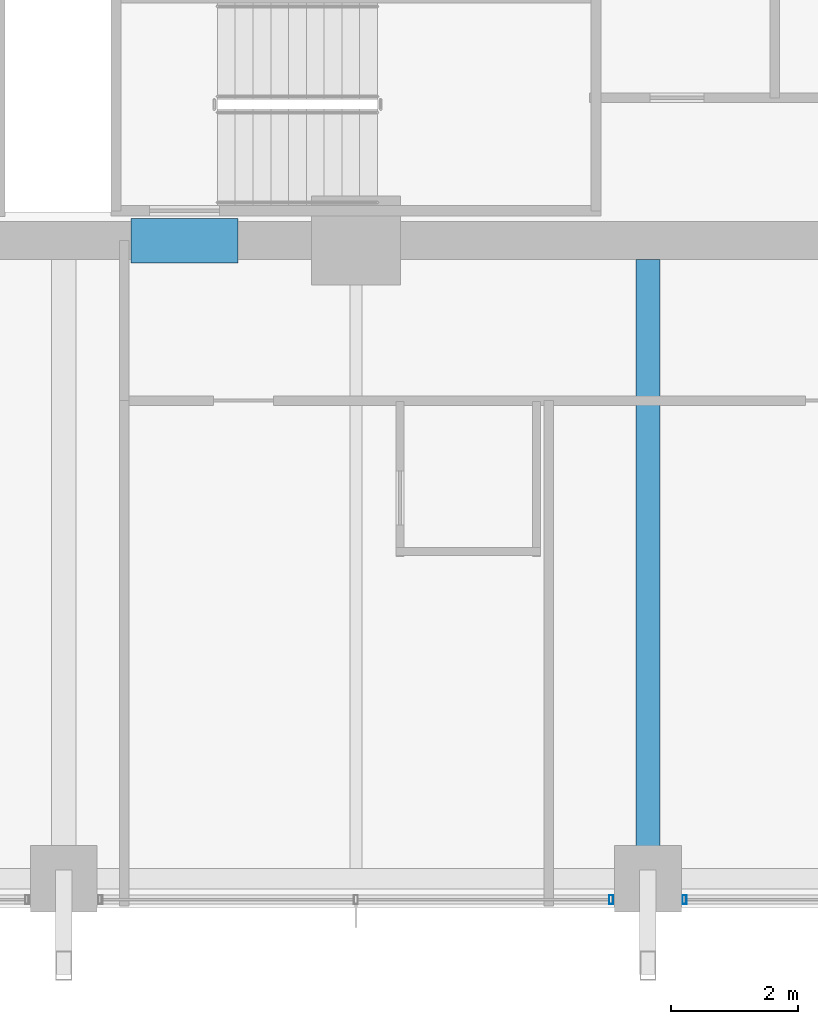
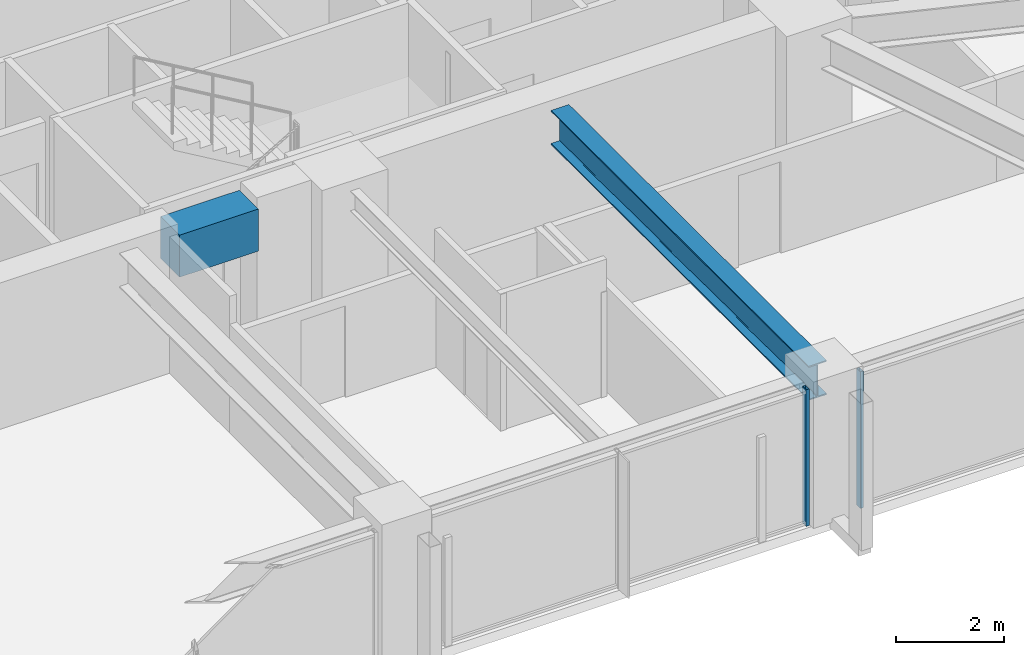
# One storey, part 6 of 37: 2 beams, 2 members, 2 elements without a shape of their own.
"""IFC4 building model written with IfcOpenShell, lengths in metres."""

from ifc_helpers import new_model, si_unit, direction, frame, origin, origin_2d, place, context, subcontext, project, spatial, rectangle, hollow_rectangle, i_section, extrude, material, material_profile, profile_set, type_object, element, aggregate, save


model = new_model("IFC4")

# Units and contexts
model_context = context("Model", 3, precision=1e-05, world=origin(), true_north=direction((0.0, 1.0)))
body_context = subcontext(model_context, "Body", "Model", "MODEL_VIEW")
ifc_project = project(units=[si_unit("LENGTHUNIT", "METRE"), si_unit("AREAUNIT", "SQUARE_METRE"), si_unit("VOLUMEUNIT", "CUBIC_METRE"), si_unit("PLANEANGLEUNIT", "RADIAN"), si_unit("MASSUNIT", "GRAM", prefix="KILO")], contexts=[model_context])

# Site, building, storey
site_placement = place(None, origin())
site = spatial("IfcSite", under=ifc_project, at=site_placement, CompositionType="ELEMENT")
building_placement = place(site_placement, origin())
building = spatial("IfcBuilding", under=site, at=building_placement, Name="Kolvaren Belvedere", CompositionType="ELEMENT")
storey_placement = place(building_placement, frame((0.0, 0.0, 82.10009765625)))
storey = spatial("IfcBuildingStorey", under=building, at=storey_placement, Name="L23", CompositionType="ELEMENT", Elevation=82.10009765625)

# Beams
ifc_material_1 = material(Name="Structural steel ASTM A992 Grade 50", Category="steel")
ifc_material_profile_1 = material_profile(ifc_material_1, i_section(OverallWidth=0.381103515625, OverallDepth=0.77294921875, WebThickness=0.0166015625, FlangeThickness=0.027099609375, FilletRadius=0.02392578125, at=origin_2d()), Name="W30X173")
ifc_profile_set_1 = profile_set([ifc_material_profile_1], Name="Structural steel ASTM A992 Grade 50")
beam_type_1 = type_object("IfcBeamType", Name="BM-GIRD-W30X173", PredefinedType="BEAM", material=ifc_profile_set_1)
beam_1_placement = place(storey_placement, frame((4.60009765625, -10.199951171875, 2.693359375), z_axis=(0.0, -1.0, 0.0), x_axis=(1.0, 0.0, 0.0)))
element("IfcBeam", 1, at=beam_1_placement, inside=storey, type_object=beam_type_1, Name="L23 South Radial Girder P", PredefinedType="BEAM", context=body_context, shape_type="SweptSolid", body=[
    extrude(i_section(OverallWidth=0.381103515625, OverallDepth=0.77294921875, WebThickness=0.0166015625, FlangeThickness=0.027099609375, FilletRadius=0.02392578125, at=origin_2d()), origin(), (0.0, 0.0, 1.0), 9.513916015625),
])
ifc_material_2 = material(Name="Concrete C60/75", Category="concrete")
ifc_material_profile_2 = material_profile(ifc_material_2, rectangle(XDim=0.699951171875, YDim=0.949951171875, at=origin_2d()), Name="RC 700X950")
ifc_profile_set_2 = profile_set([ifc_material_profile_2], Name="Concrete C60/75")
beam_type_2 = type_object("IfcBeamType", Name="BM-LINT-950", PredefinedType="LINTEL", material=ifc_profile_set_2)
beam_2_placement = place(storey_placement, frame((-3.5400390625, -9.89990234375, 2.60498046875), z_axis=(1.0, 0.0, 0.0), x_axis=(0.0, 1.0, 0.0)))
element("IfcBeam", 2, at=beam_2_placement, inside=storey, type_object=beam_type_2, Name="L23 South Core Coupling Lintel", PredefinedType="LINTEL", context=body_context, shape_type="SweptSolid", body=[
    extrude(rectangle(XDim=0.699951171875, YDim=0.949951171875, at=origin_2d()), origin(), (0.0, 0.0, 1.0), 1.679931640625),
])

# Curtain wall, member
ifc_material_3 = material(Name="Anodised pale-metal aluminium AA 6063-T6", Category="aluminium")
curtain_wall_type = type_object("IfcCurtainWallType", Name="CW-Z2-MID", PredefinedType="NOTDEFINED", material=ifc_material_3)
curtain_wall_1_placement = place(storey_placement, origin())
curtain_wall_1 = element("IfcCurtainWall", 3, at=curtain_wall_1_placement, inside=storey, type_object=curtain_wall_type, Name="L23 Unitised Curtain Wall FCW-L23-S-B1", PredefinedType="NOTDEFINED")
ifc_material_4 = material(Name="Anodised pale-metal aluminium AA 6063-T6", Category="aluminium")
ifc_material_profile_3 = material_profile(ifc_material_4, hollow_rectangle(XDim=0.06494140625, YDim=0.139892578125, WallThickness=0.00390625, at=origin_2d()), Name="ALU-MUL-140X65")
ifc_profile_set_3 = profile_set([ifc_material_profile_3], Name="Anodised pale-metal aluminium AA 6063-T6")
member_type = type_object("IfcMemberType", Name="CW-MUL-140", PredefinedType="MULLION", material=ifc_profile_set_3)
member_1_placement = place(storey_placement, frame((5.177490234375, -20.280029296875, 0.0), z_axis=(0.0, 0.0, 1.0), x_axis=(1.0, 0.0, 0.0)))
member_1 = element("IfcMember", 4, at=member_1_placement, type_object=member_type, Name="FCW-L23-S-B1 Unitised Mullion 3", PredefinedType="MULLION", context=body_context, shape_type="SweptSolid", body=[
    extrude(hollow_rectangle(XDim=0.06494140625, YDim=0.139892578125, WallThickness=0.00390625, at=origin_2d()), origin(), (0.0, 0.0, 1.0), 3.079833984375),
])
aggregate(curtain_wall_1, [member_1])

curtain_wall_2_placement = place(storey_placement, origin())
curtain_wall_2 = element("IfcCurtainWall", 5, at=curtain_wall_2_placement, inside=storey, type_object=curtain_wall_type, Name="L23 Unitised Curtain Wall FCW-L23-S-B2", PredefinedType="NOTDEFINED")
member_2_placement = place(storey_placement, frame((4.0224609375, -20.280029296875, 0.0), z_axis=(0.0, 0.0, 1.0), x_axis=(1.0, 0.0, 0.0)))
member_2 = element("IfcMember", 6, at=member_2_placement, type_object=member_type, Name="FCW-L23-S-B2 Unitised Mullion 1", PredefinedType="MULLION", context=body_context, shape_type="SweptSolid", body=[
    extrude(hollow_rectangle(XDim=0.06494140625, YDim=0.139892578125, WallThickness=0.00390625, at=origin_2d()), origin(), (0.0, 0.0, 1.0), 3.079833984375),
])
aggregate(curtain_wall_2, [member_2])

save(model, "model.ifc")
